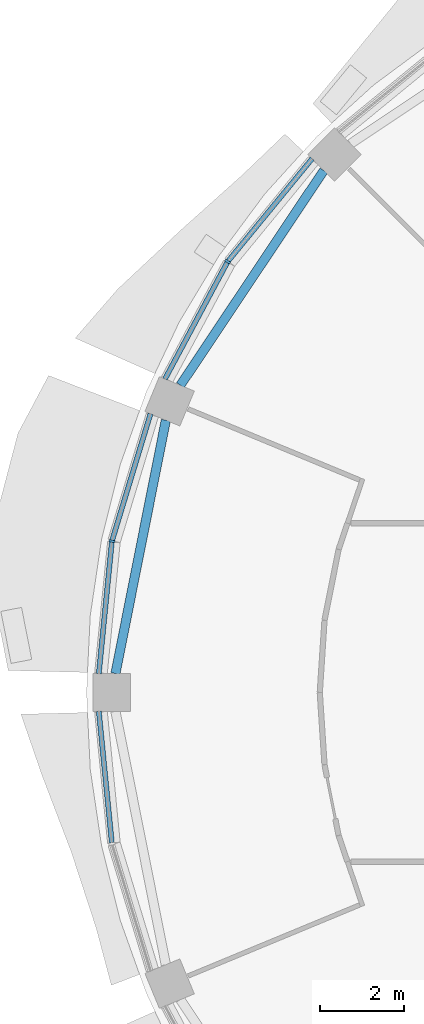
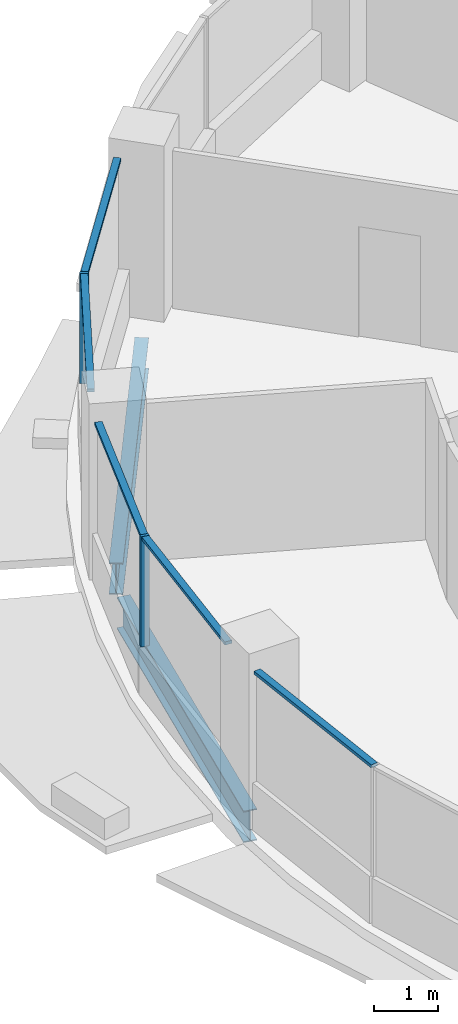
# One storey, part 4 of 15: 7 members, 2 beams, 3 elements without a shape of their own.
"""IFC4 building model written with IfcOpenShell, lengths in metres."""

from ifc_helpers import new_model, si_unit, direction, frame, origin, origin_2d, place, context, subcontext, project, spatial, rectangle, i_section, extrude, material, material_profile, profile_set, type_object, element, aggregate, save


model = new_model("IFC4")

# Units and contexts
model_context = context("Model", 3, precision=1e-05, world=origin(), true_north=direction((0.0, 1.0)))
body_context = subcontext(model_context, "Body", "Model", "MODEL_VIEW")
ifc_project = project(units=[si_unit("LENGTHUNIT", "METRE"), si_unit("AREAUNIT", "SQUARE_METRE"), si_unit("VOLUMEUNIT", "CUBIC_METRE"), si_unit("PLANEANGLEUNIT", "RADIAN"), si_unit("MASSUNIT", "GRAM", prefix="KILO")], contexts=[model_context])

# Site, building, storey
site_placement = place(None, origin())
site = spatial("IfcSite", under=ifc_project, at=site_placement, CompositionType="ELEMENT")
building_placement = place(site_placement, origin())
building = spatial("IfcBuilding", under=site, at=building_placement, Name="Polderwave Tower", CompositionType="ELEMENT")
storey_placement = place(building_placement, frame((0.0, 0.0, 174.25)))
storey = spatial("IfcBuildingStorey", under=building, at=storey_placement, Name="L46", CompositionType="ELEMENT", Elevation=174.25)

# Curtain wall, member
ifc_material_1 = material(Name="Aluminium 6063-T6 and glass", Category="aluminium")
curtain_wall_type = type_object("IfcCurtainWallType", Name="Office ribbon glazing wall", PredefinedType="NOTDEFINED", material=ifc_material_1)
curtain_wall_1_placement = place(storey_placement, origin())
curtain_wall_1 = element("IfcCurtainWall", 1, at=curtain_wall_1_placement, inside=storey, type_object=curtain_wall_type, Name="CW3 L46 06", PredefinedType="NOTDEFINED")
ifc_material_2 = material(Name="Aluminium 6063-T6", Category="aluminium")
ifc_material_profile_1 = material_profile(ifc_material_2, rectangle(XDim=0.139892578125, YDim=0.054931640625, at=origin_2d()), Name="AL 55x140")
ifc_profile_set_1 = profile_set([ifc_material_profile_1], Name="Aluminium 6063-T6")
member_type_1 = type_object("IfcMemberType", Name="Office ribbon glazing mullion 55x140", PredefinedType="MULLION", material=ifc_profile_set_1)
member_1_placement = place(storey_placement, frame((-15.341064453125, 10.25, 0.89990234375), z_axis=(0.0, 0.0, 1.0), x_axis=(0.831547176436, -0.555454132545, 0.0)))
member_1 = element("IfcMember", 2, at=member_1_placement, type_object=member_type_1, Name="CW3 mullion 1", PredefinedType="MULLION", context=body_context, shape_type="SweptSolid", body=[
    extrude(rectangle(XDim=0.139892578125, YDim=0.054931640625, at=origin_2d()), origin(), (0.0, 0.0, 1.0), 2.10009765625),
])

curtain_wall_2_placement = place(storey_placement, origin())
curtain_wall_2 = element("IfcCurtainWall", 3, at=curtain_wall_2_placement, inside=storey, type_object=curtain_wall_type, Name="CW3 L46 07", PredefinedType="NOTDEFINED")
member_2_placement = place(storey_placement, frame((-18.094970703125, 3.59912109375, 0.89990234375), z_axis=(0.0, 0.0, 1.0), x_axis=(0.980783918392, -0.195097169184, 0.0)))
member_2 = element("IfcMember", 4, at=member_2_placement, type_object=member_type_1, Name="CW3 mullion 1", PredefinedType="MULLION", context=body_context, shape_type="SweptSolid", body=[
    extrude(rectangle(XDim=0.139892578125, YDim=0.054931640625, at=origin_2d()), origin(), (0.0, 0.0, 1.0), 2.10009765625),
])

# Member
ifc_material_profile_2 = material_profile(ifc_material_2, rectangle(XDim=0.1201171875, YDim=0.06005859375, at=origin_2d()), Name="AL 60x120")
ifc_profile_set_2 = profile_set([ifc_material_profile_2], Name="Aluminium 6063-T6")
member_type_2 = type_object("IfcMemberType", Name="Office ribbon glazing transom 60x120", PredefinedType="USERDEFINED", material=ifc_profile_set_2)
member_3_placement = place(storey_placement, frame((-13.3330078125, 12.697021484375, 2.969970703125), z_axis=(-0.634334495686, -0.773058696079, 0.0), x_axis=(0.773058696079, -0.634334495686, 0.0)))
member_3 = element("IfcMember", 5, at=member_3_placement, type_object=member_type_2, Name="CW3 transom 1", ObjectType="TRANSOM", PredefinedType="USERDEFINED", context=body_context, shape_type="SweptSolid", body=[
    extrude(rectangle(XDim=0.1201171875, YDim=0.06005859375, at=origin_2d()), origin(), (0.0, 0.0, 1.0), 3.137939453125),
])

member_4_placement = place(storey_placement, frame((-15.35400390625, 10.2255859375, 2.969970703125), z_axis=(-0.471210255925, -0.882020915121, 0.0), x_axis=(0.882020915121, -0.471210255925, 0.0)))
member_4 = element("IfcMember", 6, at=member_4_placement, type_object=member_type_2, Name="CW3 transom 2", ObjectType="TRANSOM", PredefinedType="USERDEFINED", context=body_context, shape_type="SweptSolid", body=[
    extrude(rectangle(XDim=0.1201171875, YDim=0.06005859375, at=origin_2d()), origin(), (0.0, 0.0, 1.0), 3.13671875),
])

aggregate(curtain_wall_1, [member_1, member_3, member_4])

member_5_placement = place(storey_placement, frame((-17.177001953125, 6.6279296875, 2.969970703125), z_axis=(-0.29000955494, -0.957023749989, 0.0), x_axis=(0.957023749989, -0.29000955494, 0.0)))
member_5 = element("IfcMember", 7, at=member_5_placement, type_object=member_type_2, Name="CW3 transom 1", ObjectType="TRANSOM", PredefinedType="USERDEFINED", context=body_context, shape_type="SweptSolid", body=[
    extrude(rectangle(XDim=0.1201171875, YDim=0.06005859375, at=origin_2d()), origin(), (0.0, 0.0, 1.0), 3.137451171875),
])

member_6_placement = place(storey_placement, frame((-18.09765625, 3.571533203125, 2.969970703125), z_axis=(-0.098301492731, -0.995156679386, 0.0), x_axis=(0.995156679386, -0.098301492731, 0.0)))
member_6 = element("IfcMember", 8, at=member_6_placement, type_object=member_type_2, Name="CW3 transom 2", ObjectType="TRANSOM", PredefinedType="USERDEFINED", context=body_context, shape_type="SweptSolid", body=[
    extrude(rectangle(XDim=0.1201171875, YDim=0.06005859375, at=origin_2d()), origin(), (0.0, 0.0, 1.0), 3.13671875),
])

aggregate(curtain_wall_2, [member_2, member_5, member_6])

# Curtain wall, member
curtain_wall_3_placement = place(storey_placement, origin())
curtain_wall_3 = element("IfcCurtainWall", 9, at=curtain_wall_3_placement, inside=storey, type_object=curtain_wall_type, Name="CW3 L46 08", PredefinedType="NOTDEFINED")
member_7_placement = place(storey_placement, frame((-18.406005859375, -0.449951171875, 2.969970703125), z_axis=(0.098301492731, -0.995156679386, 0.0), x_axis=(0.995156679386, 0.098301492731, 0.0)))
member_7 = element("IfcMember", 10, at=member_7_placement, type_object=member_type_2, Name="CW3 transom 1", ObjectType="TRANSOM", PredefinedType="USERDEFINED", context=body_context, shape_type="SweptSolid", body=[
    extrude(rectangle(XDim=0.1201171875, YDim=0.06005859375, at=origin_2d()), origin(), (0.0, 0.0, 1.0), 3.13671875),
])
aggregate(curtain_wall_3, [member_7])

# Beams
ifc_material_3 = material(Name="Steel S355", Category="steel")
ifc_material_profile_3 = material_profile(ifc_material_3, i_section(OverallWidth=0.219970703125, OverallDepth=0.60009765625, WebThickness=0.011962890625, FlangeThickness=0.01904296875, at=origin_2d()), Name="IPE 600")
ifc_profile_set_3 = profile_set([ifc_material_profile_3], Name="Steel S355")
beam_type = type_object("IfcBeamType", Name="RING BEAM IPE 600", PredefinedType="BEAM", material=ifc_profile_set_3)
for number, where, z_axis, x_axis, name in (
    (11, (-13.053466796875, 12.417236328125, -0.64990234375), (-0.555570937424, -0.831469141634, 0.0), (0.831469141634, -0.555570937424, 0.0), "ST-RB-L46-06"),
    (12, (-16.811767578125, 6.4765625, -0.64990234375), (-0.195084520666, -0.980786434346, 0.0), (0.980786434346, -0.195084520666, 0.0), "ST-RB-L46-07"),
):
    element("IfcBeam", number, at=place(storey_placement, frame(where, z_axis=z_axis, x_axis=x_axis)), inside=storey, type_object=beam_type, Name=name, PredefinedType="BEAM", context=body_context, shape_type="SweptSolid", body=[
        extrude(i_section(OverallWidth=0.219970703125, OverallDepth=0.60009765625, WebThickness=0.011962890625, FlangeThickness=0.01904296875, at=origin_2d()), origin(), (0.0, 0.0, 1.0), 6.144775390625),
    ])

save(model, "model.ifc")
